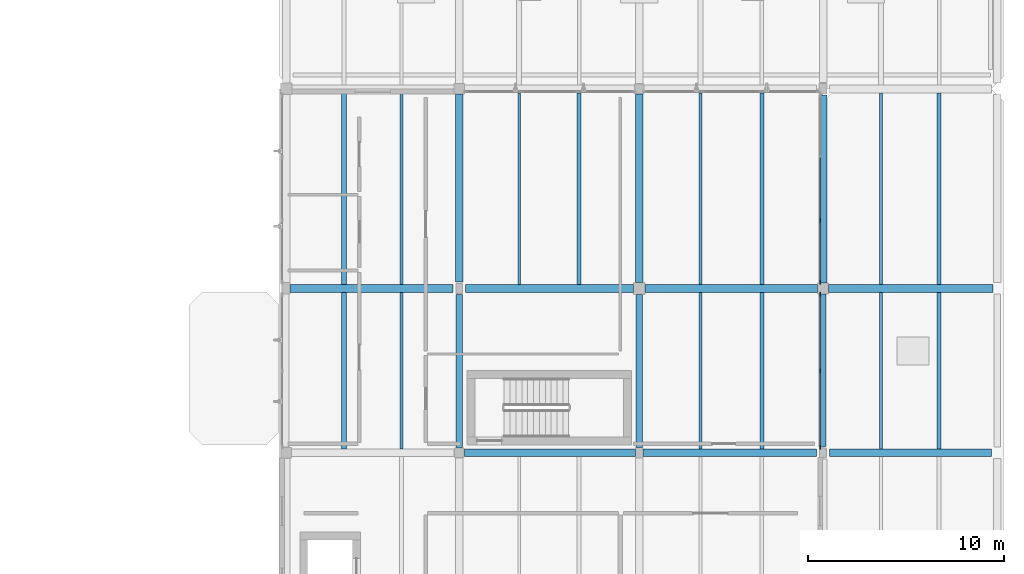
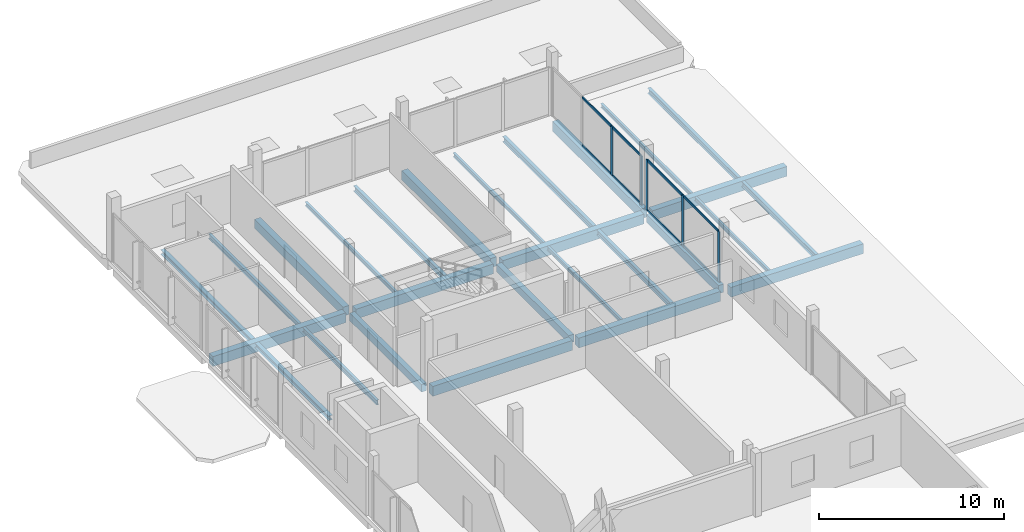
# One storey, part 29 of 66: 27 beams, 13 members, 2 elements without a shape of their own.
"""IFC4 building model written with IfcOpenShell, lengths in metres."""

from ifc_helpers import new_model, si_unit, direction, frame, origin, origin_2d, place, context, subcontext, project, spatial, rectangle, i_section, extrude, material, layer, layer_set, material_profile, profile_set, type_object, element, aggregate, save


model = new_model("IFC4")

# Units and contexts
model_context = context("Model", 3, precision=1e-05, world=origin(), true_north=direction((0.0, 1.0)))
body_context = subcontext(model_context, "Body", "Model", "MODEL_VIEW")
ifc_project = project(units=[si_unit("LENGTHUNIT", "METRE"), si_unit("AREAUNIT", "SQUARE_METRE"), si_unit("VOLUMEUNIT", "CUBIC_METRE"), si_unit("PLANEANGLEUNIT", "RADIAN"), si_unit("MASSUNIT", "GRAM", prefix="KILO")], contexts=[model_context])

# Site, building, storey
site_placement = place(None, origin())
site = spatial("IfcSite", under=ifc_project, at=site_placement, CompositionType="ELEMENT")
building_placement = place(site_placement, origin())
building = spatial("IfcBuilding", under=site, at=building_placement, Name="Birchvale Park Specialist Clinic", CompositionType="ELEMENT")
storey_placement = place(building_placement, frame((0.0, 0.0, 5.39990234375)))
storey = spatial("IfcBuildingStorey", under=building, at=storey_placement, Name="L01", CompositionType="ELEMENT", Elevation=5.39990234375)

# Beams
ifc_material_1 = material(Name="Concrete C40/50", Category="concrete")
ifc_material_profile_1 = material_profile(ifc_material_1, rectangle(XDim=0.3798828125, YDim=0.639892578125, at=origin_2d()), Name="RCB-380x640")
ifc_profile_set_1 = profile_set([ifc_material_profile_1], Name="Concrete C40/50")
beam_type_1 = type_object("IfcBeamType", Name="BM-EXT-BG5", PredefinedType="BEAM", material=ifc_profile_set_1)
beam_1_placement = place(storey_placement, frame((155.800048828125, 91.47509765625, -0.619873046875), z_axis=(0.0, 1.0, 0.0), x_axis=(-1.0, 0.0, 0.0)))
element("IfcBeam", 1, at=beam_1_placement, inside=storey, type_object=beam_type_1, Name="V6 L01 Y girder 43", PredefinedType="BEAM", context=body_context, shape_type="SweptSolid", body=[
    extrude(rectangle(XDim=0.3798828125, YDim=0.639892578125, at=origin_2d()), origin(), (0.0, 0.0, 1.0), 9.599853515625),
])
ifc_material_profile_2 = material_profile(ifc_material_1, rectangle(XDim=0.320068359375, YDim=0.5400390625, at=origin_2d()), Name="RCB-320x540")
ifc_profile_set_2 = profile_set([ifc_material_profile_2], Name="Concrete C40/50")
beam_type_2 = type_object("IfcBeamType", Name="BM-EXT-BG7", PredefinedType="BEAM", material=ifc_profile_set_2)
beam_2_placement = place(storey_placement, frame((155.800048828125, 83.125, -0.56982421875), z_axis=(0.0, 1.0, 0.0), x_axis=(-1.0, 0.0, 0.0)))
element("IfcBeam", 2, at=beam_2_placement, inside=storey, type_object=beam_type_2, Name="V6 L01 Y girder 42", PredefinedType="BEAM", context=body_context, shape_type="SweptSolid", body=[
    extrude(rectangle(XDim=0.320068359375, YDim=0.5400390625, at=origin_2d()), origin(), (0.0, 0.0, 1.0), 7.800048828125),
])
ifc_material_profile_3 = material_profile(ifc_material_1, rectangle(XDim=0.39990234375, YDim=0.64990234375, at=origin_2d()), Name="RCB-400x650")
ifc_profile_set_3 = profile_set([ifc_material_profile_3], Name="Concrete C40/50")
beam_type_3 = type_object("IfcBeamType", Name="BM-INT-BG4", PredefinedType="BEAM", material=ifc_profile_set_3)
beam_3_placement = place(storey_placement, frame((137.47509765625, 82.800048828125, -0.625), z_axis=(1.0, 0.0, 0.0), x_axis=(0.0, 1.0, 0.0)))
element("IfcBeam", 3, at=beam_3_placement, inside=storey, type_object=beam_type_3, Name="V6 L01 X girder 10", PredefinedType="BEAM", context=body_context, shape_type="SweptSolid", body=[
    extrude(rectangle(XDim=0.39990234375, YDim=0.64990234375, at=origin_2d()), origin(), (0.0, 0.0, 1.0), 8.724853515625),
])
beam_4_placement = place(storey_placement, frame((146.60009765625, 82.800048828125, -0.625), z_axis=(1.0, 0.0, 0.0), x_axis=(0.0, 1.0, 0.0)))
element("IfcBeam", 4, at=beam_4_placement, inside=storey, type_object=beam_type_3, Name="V6 L01 X girder 11", PredefinedType="BEAM", context=body_context, shape_type="SweptSolid", body=[
    extrude(rectangle(XDim=0.39990234375, YDim=0.64990234375, at=origin_2d()), origin(), (0.0, 0.0, 1.0), 8.875),
])
beam_5_placement = place(storey_placement, frame((156.125, 82.800048828125, -0.599853515625), z_axis=(1.0, 0.0, 0.0), x_axis=(0.0, 1.0, 0.0)))
element("IfcBeam", 5, at=beam_5_placement, inside=storey, type_object=beam_type_3, Name="V6 L01 X girder 12", PredefinedType="BEAM", context=body_context, shape_type="SweptSolid", body=[
    extrude(rectangle(XDim=0.39990234375, YDim=0.64990234375, at=origin_2d()), origin(), (0.0, 0.0, 1.0), 8.284912109375),
])
beam_6_placement = place(storey_placement, frame((128.56005859375, 91.199951171875, -0.625), z_axis=(1.0, 0.0, 0.0), x_axis=(0.0, 1.0, 0.0)))
element("IfcBeam", 6, at=beam_6_placement, inside=storey, type_object=beam_type_3, Name="V6 L01 X girder 13", PredefinedType="BEAM", context=body_context, shape_type="SweptSolid", body=[
    extrude(rectangle(XDim=0.39990234375, YDim=0.64990234375, at=origin_2d()), origin(), (0.0, 0.0, 1.0), 8.31494140625),
])
beam_7_placement = place(storey_placement, frame((137.52490234375, 91.199951171875, -0.625), z_axis=(1.0, 0.0, 0.0), x_axis=(0.0, 1.0, 0.0)))
element("IfcBeam", 7, at=beam_7_placement, inside=storey, type_object=beam_type_3, Name="V6 L01 X girder 14", PredefinedType="BEAM", context=body_context, shape_type="SweptSolid", body=[
    extrude(rectangle(XDim=0.39990234375, YDim=0.64990234375, at=origin_2d()), origin(), (0.0, 0.0, 1.0), 8.5751953125),
])
beam_8_placement = place(storey_placement, frame((146.699951171875, 91.199951171875, -0.625), z_axis=(1.0, 0.0, 0.0), x_axis=(0.0, 1.0, 0.0)))
element("IfcBeam", 8, at=beam_8_placement, inside=storey, type_object=beam_type_3, Name="V6 L01 X girder 15", PredefinedType="BEAM", context=body_context, shape_type="SweptSolid", body=[
    extrude(rectangle(XDim=0.39990234375, YDim=0.64990234375, at=origin_2d()), origin(), (0.0, 0.0, 1.0), 8.824951171875),
])
beam_9_placement = place(storey_placement, frame((156.074951171875, 91.199951171875, -0.599853515625), z_axis=(1.0, 0.0, 0.0), x_axis=(0.0, 1.0, 0.0)))
element("IfcBeam", 9, at=beam_9_placement, inside=storey, type_object=beam_type_3, Name="V6 L01 X girder 16", PredefinedType="BEAM", context=body_context, shape_type="SweptSolid", body=[
    extrude(rectangle(XDim=0.39990234375, YDim=0.64990234375, at=origin_2d()), origin(), (0.0, 0.0, 1.0), 8.4150390625),
])
ifc_material_profile_4 = material_profile(ifc_material_1, rectangle(XDim=0.3798828125, YDim=0.60009765625, at=origin_2d()), Name="RCB-380x600")
ifc_profile_set_4 = profile_set([ifc_material_profile_4], Name="Concrete C40/50")
beam_type_4 = type_object("IfcBeamType", Name="BM-INT-BG5", PredefinedType="BEAM", material=ifc_profile_set_4)
beam_10_placement = place(storey_placement, frame((137.199951171875, 91.52490234375, -0.599853515625), z_axis=(0.0, 1.0, 0.0), x_axis=(-1.0, 0.0, 0.0)))
element("IfcBeam", 10, at=beam_10_placement, inside=storey, type_object=beam_type_4, Name="V6 L01 Y girder 33", PredefinedType="BEAM", context=body_context, shape_type="SweptSolid", body=[
    extrude(rectangle(XDim=0.3798828125, YDim=0.60009765625, at=origin_2d()), origin(), (0.0, 0.0, 1.0), 9.60009765625),
])
beam_11_placement = place(storey_placement, frame((146.39990234375, 91.5, -0.599853515625), z_axis=(0.0, 1.0, 0.0), x_axis=(-1.0, 0.0, 0.0)))
element("IfcBeam", 11, at=beam_11_placement, inside=storey, type_object=beam_type_4, Name="V6 L01 Y girder 38", PredefinedType="BEAM", context=body_context, shape_type="SweptSolid", body=[
    extrude(rectangle(XDim=0.3798828125, YDim=0.60009765625, at=origin_2d()), origin(), (0.0, 0.0, 1.0), 9.625),
])
ifc_material_profile_5 = material_profile(ifc_material_1, rectangle(XDim=0.320068359375, YDim=0.5, at=origin_2d()), Name="RCB-320x500")
ifc_profile_set_5 = profile_set([ifc_material_profile_5], Name="Concrete C40/50")
beam_type_5 = type_object("IfcBeamType", Name="BM-INT-BG7", PredefinedType="BEAM", material=ifc_profile_set_5)
beam_12_placement = place(storey_placement, frame((137.199951171875, 83.074951171875, -0.5498046875), z_axis=(0.0, 1.0, 0.0), x_axis=(-1.0, 0.0, 0.0)))
element("IfcBeam", 12, at=beam_12_placement, inside=storey, type_object=beam_type_5, Name="V6 L01 Y girder 32", PredefinedType="BEAM", context=body_context, shape_type="SweptSolid", body=[
    extrude(rectangle(XDim=0.320068359375, YDim=0.5, at=origin_2d()), origin(), (0.0, 0.0, 1.0), 7.800048828125),
])
beam_13_placement = place(storey_placement, frame((146.39990234375, 83.074951171875, -0.5498046875), z_axis=(0.0, 1.0, 0.0), x_axis=(-1.0, 0.0, 0.0)))
element("IfcBeam", 13, at=beam_13_placement, inside=storey, type_object=beam_type_5, Name="V6 L01 Y girder 37", PredefinedType="BEAM", context=body_context, shape_type="SweptSolid", body=[
    extrude(rectangle(XDim=0.320068359375, YDim=0.5, at=origin_2d()), origin(), (0.0, 0.0, 1.0), 7.824951171875),
])

# Curtain wall, members
ifc_material_2 = material(Name="Thermally broken anodised aluminium", Category="aluminium")
ifc_layer = layer(ifc_material_2, 0.2099609375)
ifc_layer_set = layer_set([ifc_layer], Name="Thermally broken anodised aluminium")
curtain_wall_type = type_object("IfcCurtainWallType", Name="CW-U3", PredefinedType="USERDEFINED", material=ifc_layer_set)
curtain_wall_1_placement = place(storey_placement, origin())
curtain_wall_1 = element("IfcCurtainWall", 14, at=curtain_wall_1_placement, inside=storey, type_object=curtain_wall_type, Name="V6 L01 glazed curtain wall 96", ObjectType="UNITISED", PredefinedType="USERDEFINED")
ifc_material_profile_6 = material_profile(ifc_material_2, rectangle(XDim=0.070068359375, YDim=0.199951171875, at=origin_2d()), Name="CWM-70x200")
ifc_profile_set_6 = profile_set([ifc_material_profile_6], Name="Thermally broken anodised aluminium")
member_type_1 = type_object("IfcMemberType", Name="CWM3", PredefinedType="MULLION", material=ifc_profile_set_6)
member_1_placement = place(storey_placement, frame((155.655029296875, 83.0849609375, 0.0), z_axis=(0.0, 0.0, 1.0), x_axis=(-1.0, 0.0, 0.0)))
member_1 = element("IfcMember", 15, at=member_1_placement, type_object=member_type_1, Name="CW mullion 1", PredefinedType="MULLION", context=body_context, shape_type="SweptSolid", body=[
    extrude(rectangle(XDim=0.070068359375, YDim=0.199951171875, at=origin_2d()), origin(), (0.0, 0.0, 1.0), 3.34521484375),
])
member_2_placement = place(storey_placement, frame((155.655029296875, 86.987548828125, 0.0), z_axis=(0.0, 0.0, 1.0), x_axis=(-1.0, 0.0, 0.0)))
member_2 = element("IfcMember", 16, at=member_2_placement, type_object=member_type_1, Name="CW mullion 2", PredefinedType="MULLION", context=body_context, shape_type="SweptSolid", body=[
    extrude(rectangle(XDim=0.070068359375, YDim=0.199951171875, at=origin_2d()), origin(), (0.0, 0.0, 1.0), 3.34521484375),
])
member_3_placement = place(storey_placement, frame((155.655029296875, 90.889892578125, 0.0), z_axis=(0.0, 0.0, 1.0), x_axis=(-1.0, 0.0, 0.0)))
member_3 = element("IfcMember", 17, at=member_3_placement, type_object=member_type_1, Name="CW mullion 3", PredefinedType="MULLION", context=body_context, shape_type="SweptSolid", body=[
    extrude(rectangle(XDim=0.070068359375, YDim=0.199951171875, at=origin_2d()), origin(), (0.0, 0.0, 1.0), 3.34521484375),
])

curtain_wall_2_placement = place(storey_placement, origin())
curtain_wall_2 = element("IfcCurtainWall", 18, at=curtain_wall_2_placement, inside=storey, type_object=curtain_wall_type, Name="V6 L01 glazed curtain wall 97", ObjectType="UNITISED", PredefinedType="USERDEFINED")
member_4_placement = place(storey_placement, frame((155.655029296875, 91.510009765625, 0.0), z_axis=(0.0, 0.0, 1.0), x_axis=(-1.0, 0.0, 0.0)))
member_4 = element("IfcMember", 19, at=member_4_placement, type_object=member_type_1, Name="CW mullion 1", PredefinedType="MULLION", context=body_context, shape_type="SweptSolid", body=[
    extrude(rectangle(XDim=0.070068359375, YDim=0.199951171875, at=origin_2d()), origin(), (0.0, 0.0, 1.0), 3.235107421875),
])
member_5_placement = place(storey_placement, frame((155.655029296875, 94.691650390625, 0.0), z_axis=(0.0, 0.0, 1.0), x_axis=(-1.0, 0.0, 0.0)))
member_5 = element("IfcMember", 20, at=member_5_placement, type_object=member_type_1, Name="CW mullion 2", PredefinedType="MULLION", context=body_context, shape_type="SweptSolid", body=[
    extrude(rectangle(XDim=0.070068359375, YDim=0.199951171875, at=origin_2d()), origin(), (0.0, 0.0, 1.0), 3.235107421875),
])

# Member
ifc_material_profile_7 = material_profile(ifc_material_2, rectangle(XDim=0.070068359375, YDim=0.14990234375, at=origin_2d()), Name="CWT-70x150")
ifc_profile_set_7 = profile_set([ifc_material_profile_7], Name="Thermally broken anodised aluminium")
member_type_2 = type_object("IfcMemberType", Name="CWT3", PredefinedType="USERDEFINED", material=ifc_profile_set_7)
member_6_placement = place(storey_placement, frame((155.655029296875, 83.1201171875, 0.03515625), z_axis=(0.0, 1.0, 0.0), x_axis=(-1.0, 0.0, 0.0)))
member_6 = element("IfcMember", 21, at=member_6_placement, type_object=member_type_2, Name="CW transom 1.1", ObjectType="TRANSOM", PredefinedType="USERDEFINED", context=body_context, shape_type="SweptSolid", body=[
    extrude(rectangle(XDim=0.070068359375, YDim=0.14990234375, at=origin_2d()), origin(), (0.0, 0.0, 1.0), 3.832275390625),
])

member_7_placement = place(storey_placement, frame((155.655029296875, 83.1201171875, 3.31005859375), z_axis=(0.0, 1.0, 0.0), x_axis=(-1.0, 0.0, 0.0)))
member_7 = element("IfcMember", 22, at=member_7_placement, type_object=member_type_2, Name="CW transom 1.2", ObjectType="TRANSOM", PredefinedType="USERDEFINED", context=body_context, shape_type="SweptSolid", body=[
    extrude(rectangle(XDim=0.070068359375, YDim=0.14990234375, at=origin_2d()), origin(), (0.0, 0.0, 1.0), 3.832275390625),
])

member_8_placement = place(storey_placement, frame((155.655029296875, 87.0224609375, 0.03515625), z_axis=(0.0, 1.0, 0.0), x_axis=(-1.0, 0.0, 0.0)))
member_8 = element("IfcMember", 23, at=member_8_placement, type_object=member_type_2, Name="CW transom 2.1", ObjectType="TRANSOM", PredefinedType="USERDEFINED", context=body_context, shape_type="SweptSolid", body=[
    extrude(rectangle(XDim=0.070068359375, YDim=0.14990234375, at=origin_2d()), origin(), (0.0, 0.0, 1.0), 3.83251953125),
])

member_9_placement = place(storey_placement, frame((155.655029296875, 87.0224609375, 3.31005859375), z_axis=(0.0, 1.0, 0.0), x_axis=(-1.0, 0.0, 0.0)))
member_9 = element("IfcMember", 24, at=member_9_placement, type_object=member_type_2, Name="CW transom 2.2", ObjectType="TRANSOM", PredefinedType="USERDEFINED", context=body_context, shape_type="SweptSolid", body=[
    extrude(rectangle(XDim=0.070068359375, YDim=0.14990234375, at=origin_2d()), origin(), (0.0, 0.0, 1.0), 3.83251953125),
])

aggregate(curtain_wall_1, [member_1, member_2, member_3, member_6, member_7, member_8, member_9])

member_10_placement = place(storey_placement, frame((155.655029296875, 91.544921875, 0.03515625), z_axis=(0.0, 1.0, 0.0), x_axis=(-1.0, 0.0, 0.0)))
member_10 = element("IfcMember", 25, at=member_10_placement, type_object=member_type_2, Name="CW transom 1.1", ObjectType="TRANSOM", PredefinedType="USERDEFINED", context=body_context, shape_type="SweptSolid", body=[
    extrude(rectangle(XDim=0.070068359375, YDim=0.14990234375, at=origin_2d()), origin(), (0.0, 0.0, 1.0), 3.11181640625),
])

member_11_placement = place(storey_placement, frame((155.655029296875, 91.544921875, 3.2001953125), z_axis=(0.0, 1.0, 0.0), x_axis=(-1.0, 0.0, 0.0)))
member_11 = element("IfcMember", 26, at=member_11_placement, type_object=member_type_2, Name="CW transom 1.2", ObjectType="TRANSOM", PredefinedType="USERDEFINED", context=body_context, shape_type="SweptSolid", body=[
    extrude(rectangle(XDim=0.070068359375, YDim=0.14990234375, at=origin_2d()), origin(), (0.0, 0.0, 1.0), 3.11181640625),
])

member_12_placement = place(storey_placement, frame((155.655029296875, 94.7265625, 0.03515625), z_axis=(0.0, 1.0, 0.0), x_axis=(-1.0, 0.0, 0.0)))
member_12 = element("IfcMember", 27, at=member_12_placement, type_object=member_type_2, Name="CW transom 2.1", ObjectType="TRANSOM", PredefinedType="USERDEFINED", context=body_context, shape_type="SweptSolid", body=[
    extrude(rectangle(XDim=0.070068359375, YDim=0.14990234375, at=origin_2d()), origin(), (0.0, 0.0, 1.0), 3.146728515625),
])

member_13_placement = place(storey_placement, frame((155.655029296875, 94.7265625, 3.2001953125), z_axis=(0.0, 1.0, 0.0), x_axis=(-1.0, 0.0, 0.0)))
member_13 = element("IfcMember", 28, at=member_13_placement, type_object=member_type_2, Name="CW transom 2.2", ObjectType="TRANSOM", PredefinedType="USERDEFINED", context=body_context, shape_type="SweptSolid", body=[
    extrude(rectangle(XDim=0.070068359375, YDim=0.14990234375, at=origin_2d()), origin(), (0.0, 0.0, 1.0), 3.146728515625),
])

aggregate(curtain_wall_2, [member_4, member_5, member_10, member_11, member_12, member_13])

# Beams
ifc_material_3 = material(Name="Steel ASTM A992 Grade 50", Category="steel")
ifc_material_profile_8 = material_profile(ifc_material_3, i_section(OverallWidth=0.2041015625, OverallDepth=0.35107421875, WebThickness=0.008544921875, FlangeThickness=0.01513671875, at=origin_2d()), Name="W14X48")
ifc_profile_set_8 = profile_set([ifc_material_profile_8], Name="Steel ASTM A992 Grade 50")
beam_type_6 = type_object("IfcBeamType", Name="STL-INT-SJ1", PredefinedType="JOIST", material=ifc_profile_set_8)
beam_14_placement = place(storey_placement, frame((143.333251953125, 91.39990234375, -0.475341796875), z_axis=(0.0, 1.0, 0.0), x_axis=(-1.0, 0.0, 0.0)))
element("IfcBeam", 29, at=beam_14_placement, inside=storey, type_object=beam_type_6, Name="V6 L01 secondary floor joist 15", PredefinedType="JOIST", context=body_context, shape_type="SweptSolid", body=[
    extrude(i_section(OverallWidth=0.2041015625, OverallDepth=0.35107421875, WebThickness=0.008544921875, FlangeThickness=0.01513671875, at=origin_2d()), origin(), (0.0, 0.0, 1.0), 9.800048828125),
])
beam_15_placement = place(storey_placement, frame((152.666748046875, 83.0, -0.475341796875), z_axis=(0.0, 1.0, 0.0), x_axis=(-1.0, 0.0, 0.0)))
element("IfcBeam", 30, at=beam_15_placement, inside=storey, type_object=beam_type_6, Name="V6 L01 secondary floor joist 23", PredefinedType="JOIST", context=body_context, shape_type="SweptSolid", body=[
    extrude(i_section(OverallWidth=0.2041015625, OverallDepth=0.35107421875, WebThickness=0.008544921875, FlangeThickness=0.01513671875, at=origin_2d()), origin(), (0.0, 0.0, 1.0), 8.0),
])
beam_16_placement = place(storey_placement, frame((152.666748046875, 91.39990234375, -0.475341796875), z_axis=(0.0, 1.0, 0.0), x_axis=(-1.0, 0.0, 0.0)))
element("IfcBeam", 31, at=beam_16_placement, inside=storey, type_object=beam_type_6, Name="V6 L01 secondary floor joist 25", PredefinedType="JOIST", context=body_context, shape_type="SweptSolid", body=[
    extrude(i_section(OverallWidth=0.2041015625, OverallDepth=0.35107421875, WebThickness=0.008544921875, FlangeThickness=0.01513671875, at=origin_2d()), origin(), (0.0, 0.0, 1.0), 9.800048828125),
])
beam_17_placement = place(storey_placement, frame((161.7333984375, 83.0, -0.450439453125), z_axis=(0.0, 1.0, 0.0), x_axis=(-1.0, 0.0, 0.0)))
element("IfcBeam", 32, at=beam_17_placement, inside=storey, type_object=beam_type_6, Name="V6 L01 secondary floor joist 33", PredefinedType="JOIST", context=body_context, shape_type="SweptSolid", body=[
    extrude(i_section(OverallWidth=0.2041015625, OverallDepth=0.35107421875, WebThickness=0.008544921875, FlangeThickness=0.01513671875, at=origin_2d()), origin(), (0.0, 0.0, 1.0), 8.0),
])
beam_18_placement = place(storey_placement, frame((161.7333984375, 91.39990234375, -0.450439453125), z_axis=(0.0, 1.0, 0.0), x_axis=(-1.0, 0.0, 0.0)))
element("IfcBeam", 33, at=beam_18_placement, inside=storey, type_object=beam_type_6, Name="V6 L01 secondary floor joist 35", PredefinedType="JOIST", context=body_context, shape_type="SweptSolid", body=[
    extrude(i_section(OverallWidth=0.2041015625, OverallDepth=0.35107421875, WebThickness=0.008544921875, FlangeThickness=0.01513671875, at=origin_2d()), origin(), (0.0, 0.0, 1.0), 9.800048828125),
])
ifc_material_profile_9 = material_profile(ifc_material_3, i_section(OverallWidth=0.25390625, OverallDepth=0.305908203125, WebThickness=0.0087890625, FlangeThickness=0.0146484375, at=origin_2d()), Name="W12X53")
ifc_profile_set_9 = profile_set([ifc_material_profile_9], Name="Steel ASTM A992 Grade 50")
beam_type_7 = type_object("IfcBeamType", Name="STL-INT-SJ2", PredefinedType="JOIST", material=ifc_profile_set_9)
beam_19_placement = place(storey_placement, frame((131.300048828125, 83.0, -0.452880859375), z_axis=(0.0, 1.0, 0.0), x_axis=(-1.0, 0.0, 0.0)))
element("IfcBeam", 34, at=beam_19_placement, inside=storey, type_object=beam_type_7, Name="V6 L01 secondary floor joist 4", PredefinedType="JOIST", context=body_context, shape_type="SweptSolid", body=[
    extrude(i_section(OverallWidth=0.25390625, OverallDepth=0.305908203125, WebThickness=0.0087890625, FlangeThickness=0.0146484375, at=origin_2d()), origin(), (0.0, 0.0, 1.0), 8.0),
])
beam_20_placement = place(storey_placement, frame((131.300048828125, 91.39990234375, -0.452880859375), z_axis=(0.0, 1.0, 0.0), x_axis=(-1.0, 0.0, 0.0)))
element("IfcBeam", 35, at=beam_20_placement, inside=storey, type_object=beam_type_7, Name="V6 L01 secondary floor joist 6", PredefinedType="JOIST", context=body_context, shape_type="SweptSolid", body=[
    extrude(i_section(OverallWidth=0.25390625, OverallDepth=0.305908203125, WebThickness=0.0087890625, FlangeThickness=0.0146484375, at=origin_2d()), origin(), (0.0, 0.0, 1.0), 9.800048828125),
])
ifc_material_profile_10 = material_profile(ifc_material_3, i_section(OverallWidth=0.1669921875, OverallDepth=0.31689453125, WebThickness=0.007568359375, FlangeThickness=0.01318359375, at=origin_2d()), Name="W12X35")
ifc_profile_set_10 = profile_set([ifc_material_profile_10], Name="Steel ASTM A992 Grade 50")
beam_type_8 = type_object("IfcBeamType", Name="STL-INT-SJ3", PredefinedType="JOIST", material=ifc_profile_set_10)
beam_21_placement = place(storey_placement, frame((134.25, 83.0, -0.45849609375), z_axis=(0.0, 1.0, 0.0), x_axis=(-1.0, 0.0, 0.0)))
element("IfcBeam", 36, at=beam_21_placement, inside=storey, type_object=beam_type_8, Name="V6 L01 secondary floor joist 5", PredefinedType="JOIST", context=body_context, shape_type="SweptSolid", body=[
    extrude(i_section(OverallWidth=0.1669921875, OverallDepth=0.31689453125, WebThickness=0.007568359375, FlangeThickness=0.01318359375, at=origin_2d()), origin(), (0.0, 0.0, 1.0), 8.0),
])
beam_22_placement = place(storey_placement, frame((134.25, 91.39990234375, -0.45849609375), z_axis=(0.0, 1.0, 0.0), x_axis=(-1.0, 0.0, 0.0)))
element("IfcBeam", 37, at=beam_22_placement, inside=storey, type_object=beam_type_8, Name="V6 L01 secondary floor joist 7", PredefinedType="JOIST", context=body_context, shape_type="SweptSolid", body=[
    extrude(i_section(OverallWidth=0.1669921875, OverallDepth=0.31689453125, WebThickness=0.007568359375, FlangeThickness=0.01318359375, at=origin_2d()), origin(), (0.0, 0.0, 1.0), 9.800048828125),
])
ifc_material_profile_11 = material_profile(ifc_material_3, i_section(OverallWidth=0.14697265625, OverallDepth=0.261962890625, WebThickness=0.006591796875, FlangeThickness=0.01123046875, at=origin_2d()), Name="W10X26")
ifc_profile_set_11 = profile_set([ifc_material_profile_11], Name="Steel ASTM A992 Grade 50")
beam_type_9 = type_object("IfcBeamType", Name="STL-INT-SJ5", PredefinedType="JOIST", material=ifc_profile_set_11)
beam_23_placement = place(storey_placement, frame((140.2666015625, 91.39990234375, -0.430908203125), z_axis=(0.0, 1.0, 0.0), x_axis=(-1.0, 0.0, 0.0)))
element("IfcBeam", 38, at=beam_23_placement, inside=storey, type_object=beam_type_9, Name="V6 L01 secondary floor joist 14", PredefinedType="JOIST", context=body_context, shape_type="SweptSolid", body=[
    extrude(i_section(OverallWidth=0.14697265625, OverallDepth=0.261962890625, WebThickness=0.006591796875, FlangeThickness=0.01123046875, at=origin_2d()), origin(), (0.0, 0.0, 1.0), 9.800048828125),
])
beam_24_placement = place(storey_placement, frame((149.533203125, 83.0, -0.430908203125), z_axis=(0.0, 1.0, 0.0), x_axis=(-1.0, 0.0, 0.0)))
element("IfcBeam", 39, at=beam_24_placement, inside=storey, type_object=beam_type_9, Name="V6 L01 secondary floor joist 22", PredefinedType="JOIST", context=body_context, shape_type="SweptSolid", body=[
    extrude(i_section(OverallWidth=0.14697265625, OverallDepth=0.261962890625, WebThickness=0.006591796875, FlangeThickness=0.01123046875, at=origin_2d()), origin(), (0.0, 0.0, 1.0), 8.0),
])
beam_25_placement = place(storey_placement, frame((149.533203125, 91.39990234375, -0.430908203125), z_axis=(0.0, 1.0, 0.0), x_axis=(-1.0, 0.0, 0.0)))
element("IfcBeam", 40, at=beam_25_placement, inside=storey, type_object=beam_type_9, Name="V6 L01 secondary floor joist 24", PredefinedType="JOIST", context=body_context, shape_type="SweptSolid", body=[
    extrude(i_section(OverallWidth=0.14697265625, OverallDepth=0.261962890625, WebThickness=0.006591796875, FlangeThickness=0.01123046875, at=origin_2d()), origin(), (0.0, 0.0, 1.0), 9.800048828125),
])
beam_26_placement = place(storey_placement, frame((158.7666015625, 83.0, -0.406005859375), z_axis=(0.0, 1.0, 0.0), x_axis=(-1.0, 0.0, 0.0)))
element("IfcBeam", 41, at=beam_26_placement, inside=storey, type_object=beam_type_9, Name="V6 L01 secondary floor joist 32", PredefinedType="JOIST", context=body_context, shape_type="SweptSolid", body=[
    extrude(i_section(OverallWidth=0.14697265625, OverallDepth=0.261962890625, WebThickness=0.006591796875, FlangeThickness=0.01123046875, at=origin_2d()), origin(), (0.0, 0.0, 1.0), 8.0),
])
beam_27_placement = place(storey_placement, frame((158.7666015625, 91.39990234375, -0.406005859375), z_axis=(0.0, 1.0, 0.0), x_axis=(-1.0, 0.0, 0.0)))
element("IfcBeam", 42, at=beam_27_placement, inside=storey, type_object=beam_type_9, Name="V6 L01 secondary floor joist 34", PredefinedType="JOIST", context=body_context, shape_type="SweptSolid", body=[
    extrude(i_section(OverallWidth=0.14697265625, OverallDepth=0.261962890625, WebThickness=0.006591796875, FlangeThickness=0.01123046875, at=origin_2d()), origin(), (0.0, 0.0, 1.0), 9.800048828125),
])

save(model, "model.ifc")
